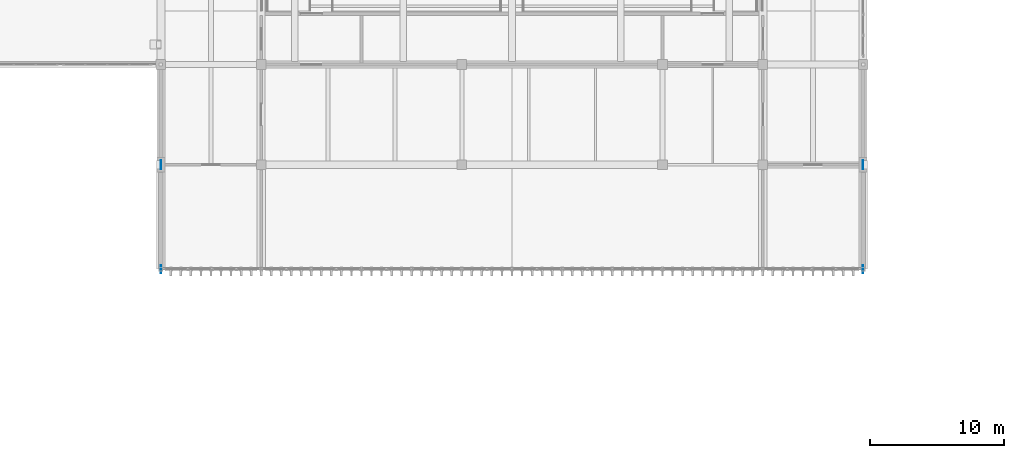
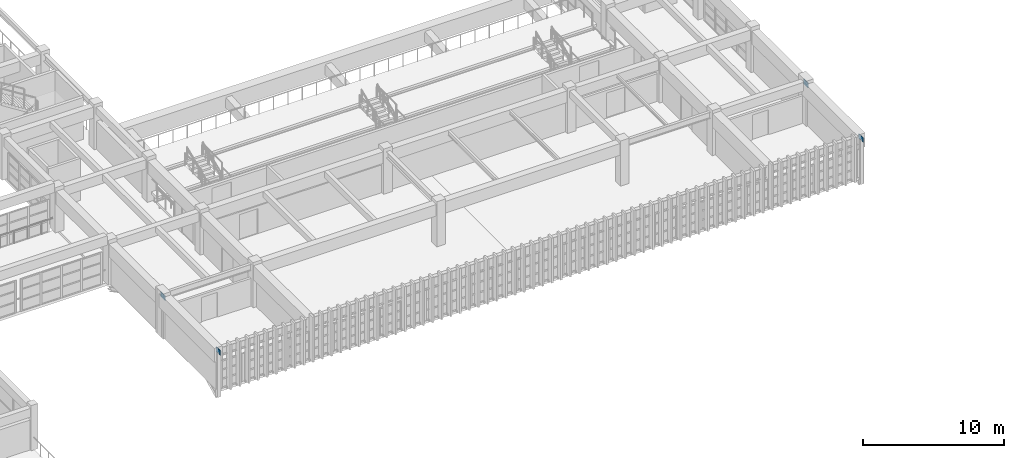
# One storey, part 69 of 101: 4 plates.
"""IFC4 building model written with IfcOpenShell, lengths in metres."""

import ifcopenshell
import ifcopenshell.guid

model = None  # the IFC model being written
_history = None  # IfcOwnerHistory: only IFC2X3 demands one
_inside = {}  # id of a spatial element -> (the spatial element, [elements in it])
_under = {}  # id of a project, library or spatial element -> (it, [spatial elements below it])
_declared = {}  # id of a project -> (the project, [libraries it declares])
_typed = {}  # id of a type object -> (the type object, [elements of that type])
_made_of = {}  # id of a material, layer set ... -> (it, [elements and type objects made of it])


def new_model(schema):
    """Start an empty IFC model of exactly this schema.

    Asked for "IFC4X3", IfcOpenShell would pick the latest addendum, in which some entities
    have other attributes; the version numbers below select the first issue.
    IFC2X3 requires an IfcOwnerHistory on every rooted entity: one is made here for all.
    """
    global model, _history
    if schema == "IFC4X3":
        model = ifcopenshell.file(schema_version=(4, 3, 0, 0))
    else:
        model = ifcopenshell.file(schema=schema)
    _inside.clear()
    _under.clear()
    _declared.clear()
    _typed.clear()
    _made_of.clear()
    _history = None
    if model.schema == "IFC2X3":
        org = make("IfcOrganization", Name="unknown")
        user = make(
            "IfcPersonAndOrganization",
            ThePerson=make("IfcPerson", FamilyName="unknown"),
            TheOrganization=org,
        )
        app = make(
            "IfcApplication",
            ApplicationDeveloper=org,
            Version="unknown",
            ApplicationFullName="unknown",
            ApplicationIdentifier="unknown",
        )
        _history = make(
            "IfcOwnerHistory",
            OwningUser=user,
            OwningApplication=app,
            ChangeAction="ADDED",
            CreationDate=0,
        )
    return model


def make(cls, **values):
    """One entity of the class cls with the attributes given. An attribute that is None is left unset."""
    return model.create_entity(
        cls, **{name: value for name, value in values.items() if value is not None}
    )


def rooted(cls, **values):
    """An entity with a GlobalId (a new one), such as an element, a storey or a relation."""
    return make(cls, GlobalId=ifcopenshell.guid.new(), OwnerHistory=_history, **values)


def si_unit(unit_type, name, prefix=None):
    """IfcSIUnit, for example si_unit("LENGTHUNIT", "METRE", prefix="MILLI")."""
    return make("IfcSIUnit", UnitType=unit_type, Prefix=prefix, Name=name)


def assignment(units):
    """IfcUnitAssignment: the units of a project."""
    return None if units is None else make("IfcUnitAssignment", Units=units)


def point(xyz):
    """IfcCartesianPoint."""
    return None if xyz is None else make("IfcCartesianPoint", Coordinates=xyz)


def direction(xyz):
    """IfcDirection."""
    return None if xyz is None else make("IfcDirection", DirectionRatios=xyz)


def frame(location, z_axis=None, x_axis=None):
    """IfcAxis2Placement3D, a coordinate frame: its origin and axes. An axis left out is left unset."""
    return make(
        "IfcAxis2Placement3D",
        Location=point(location),
        Axis=direction(z_axis),
        RefDirection=direction(x_axis),
    )


def frame_2d(location, x_axis=None):
    """IfcAxis2Placement2D, a coordinate frame in the plane: its origin and x axis."""
    return make(
        "IfcAxis2Placement2D", Location=point(location), RefDirection=direction(x_axis)
    )


def origin():
    """The frame at (0, 0, 0) with its axes left unset."""
    return frame((0.0, 0.0, 0.0))


def origin_2d():
    """The frame at (0, 0) in the plane with its x axis left unset."""
    return frame_2d((0.0, 0.0))


def place(relative_to, where):
    """IfcLocalPlacement: puts the frame where relative to a parent placement (None: the world)."""
    return make(
        "IfcLocalPlacement", PlacementRelTo=relative_to, RelativePlacement=where
    )


def context(
    kind, dimensions, precision=None, world=None, true_north=None, identifier=None
):
    """IfcGeometricRepresentationContext, for example the 3D "Model" context."""
    return make(
        "IfcGeometricRepresentationContext",
        ContextIdentifier=identifier,
        ContextType=kind,
        CoordinateSpaceDimension=dimensions,
        Precision=precision,
        WorldCoordinateSystem=world,
        TrueNorth=true_north,
    )


def subcontext(parent, identifier, kind, view, scale=None):
    """IfcGeometricRepresentationSubContext, for example "Body" below "Model"."""
    return make(
        "IfcGeometricRepresentationSubContext",
        ContextIdentifier=identifier,
        ContextType=kind,
        ParentContext=parent,
        TargetScale=scale,
        TargetView=view,
    )


def project(units=None, contexts=None):
    """IfcProject with its units and contexts."""
    return rooted(
        "IfcProject",
        Name="project",
        RepresentationContexts=contexts,
        UnitsInContext=assignment(units),
    )


def spatial(cls, under=None, at=None, **own):
    """A site, building, storey or space (cls), placed at a placement, below another one or the project."""
    s = rooted(cls, ObjectPlacement=at, **own)
    if under is not None:
        _under.setdefault(under.id(), (under, []))[1].append(s)
    return s


def profile(cls, at=None, kind="AREA", **sizes):
    """A parametric profile (cls). Its sizes go by their IFC names, for example OverallWidth=200.0."""
    return make(cls, ProfileType=kind, Position=at, **sizes)


def rectangle(**sizes):
    """IfcRectangleProfileDef."""
    return profile("IfcRectangleProfileDef", **sizes)


def extrude(swept, where, along, depth):
    """IfcExtrudedAreaSolid: the profile swept, set in the frame where, extruded along a direction by depth."""
    return make(
        "IfcExtrudedAreaSolid",
        SweptArea=swept,
        Position=where,
        ExtrudedDirection=direction(along),
        Depth=depth,
    )


def shape(context_of_items, identifier, shape_type, items):
    """IfcShapeRepresentation: the items that make up one representation, for example the "Body"."""
    return make(
        "IfcShapeRepresentation",
        ContextOfItems=context_of_items,
        RepresentationIdentifier=identifier,
        RepresentationType=shape_type,
        Items=items,
    )


def material(Name=None, Category=None):
    """IfcMaterial."""
    return make("IfcMaterial", Name=Name, Category=Category)


def layer(
    of_material, thickness, ventilated=None, Name=None, Category=None, Priority=None
):
    """IfcMaterialLayer: one layer of a wall or slab, of a material (None: an air gap)."""
    return make(
        "IfcMaterialLayer",
        Material=of_material,
        LayerThickness=thickness,
        IsVentilated=ventilated,
        Name=Name,
        Category=Category,
        Priority=Priority,
    )


def layer_set(layers, Name=None):
    """IfcMaterialLayerSet."""
    return make("IfcMaterialLayerSet", MaterialLayers=layers, LayerSetName=Name)


def made_of(thing, what):
    """Note that an element or type object is made of a material, layer set ...; save() writes the relation."""
    if what is not None:
        _made_of.setdefault(what.id(), (what, []))[1].append(thing)
    return thing


def type_object(cls, material=None, **own):
    """A type object (cls), such as IfcWallType, which elements share."""
    return made_of(rooted(cls, **own), material)


def element(
    cls,
    number,
    at=None,
    inside=None,
    cuts=None,
    type_object=None,
    material=None,
    context=None,
    identifier="Body",
    shape_type=None,
    held_by="IfcProductDefinitionShape",
    body=None,
    shapes=None,
    **own,
):
    """One element of the class cls, such as IfcWall. Its Tag is "e" and its number.

    at: its placement. inside: the storey or other place that contains it. cuts: it is an
    opening in that element (IfcRelVoidsElement). A single representation is given by context,
    identifier, shape_type and body (its items); several are given by shapes. held_by: the class
    of the entity that holds the representations. save() writes the other relations.
    """
    e = rooted(cls, Tag="e%d" % number, ObjectPlacement=at, **own)
    if body is not None:
        shapes = [shape(context, identifier, shape_type, body)]
    if shapes is not None:
        e.Representation = make(held_by, Representations=shapes)
    if inside is not None:
        _inside.setdefault(inside.id(), (inside, []))[1].append(e)
    if cuts is not None:
        rooted(
            "IfcRelVoidsElement", RelatingBuildingElement=cuts, RelatedOpeningElement=e
        )
    if type_object is not None:
        _typed.setdefault(type_object.id(), (type_object, []))[1].append(e)
    return made_of(e, material)


def aggregate(whole, parts):
    """IfcRelAggregates: a whole, such as a stair, and the parts it consists of."""
    return rooted("IfcRelAggregates", RelatingObject=whole, RelatedObjects=parts)


def save(model, path):
    """Write the relations noted so far, then the file.

    IfcRelAggregates (storeys below a building ...), IfcRelContainedInSpatialStructure (elements
    in a storey), IfcRelDefinesByType, IfcRelAssociatesMaterial and IfcRelDeclares: one each for
    every whole, place, type object, material and project.
    """
    for whole, parts in _under.values():
        aggregate(whole, parts)
    for where, things in _inside.values():
        rooted(
            "IfcRelContainedInSpatialStructure",
            RelatedElements=things,
            RelatingStructure=where,
        )
    for kind, things in _typed.values():
        rooted("IfcRelDefinesByType", RelatedObjects=things, RelatingType=kind)
    for what, things in _made_of.values():
        rooted("IfcRelAssociatesMaterial", RelatedObjects=things, RelatingMaterial=what)
    for by, libraries in _declared.values():
        rooted("IfcRelDeclares", RelatingContext=by, RelatedDefinitions=libraries)
    model.write(path)


model = new_model("IFC4")

# Units and contexts
model_context = context("Model", 3, precision=1e-05, world=origin(), true_north=direction((0.0, 1.0)))
body_context = subcontext(model_context, "Body", "Model", "MODEL_VIEW")
ifc_project = project(units=[si_unit("LENGTHUNIT", "METRE"), si_unit("AREAUNIT", "SQUARE_METRE"), si_unit("VOLUMEUNIT", "CUBIC_METRE"), si_unit("PLANEANGLEUNIT", "RADIAN"), si_unit("MASSUNIT", "GRAM", prefix="KILO")], contexts=[model_context])

# Site, building, storey
site_placement = place(None, origin())
site = spatial("IfcSite", under=ifc_project, at=site_placement, CompositionType="ELEMENT")
building_placement = place(site_placement, origin())
building = spatial("IfcBuilding", under=site, at=building_placement, Name="Qasida Concert Hall", CompositionType="ELEMENT")
storey_placement = place(building_placement, frame((0.0, 0.0, 13.199951171875)))
storey = spatial("IfcBuildingStorey", under=building, at=storey_placement, Name="L03", CompositionType="ELEMENT", Elevation=13.199951171875)

# Plates
ifc_material = material(Name="Steel S355J2", Category="steel")
ifc_layer_1 = layer(ifc_material, 0.035888671875, Name="Steel S355J2")
ifc_layer_set_1 = layer_set([ifc_layer_1], Name="Steel S355J2")
plate_type_1 = type_object("IfcPlateType", Name="PLT-PL-KN1", PredefinedType="USERDEFINED", material=ifc_layer_set_1)
for number, where, z_axis, x_axis, name in (
    (1, (52.5, 14.699951171875, 3.10009765625), (0.0, 0.0, 1.0), (1.0, 0.0, 0.0), "Wall truss node plate KN-0005"),
    (2, (105.0, 14.699951171875, 3.10009765625), (0.0, 0.0, 1.0), (1.0, 0.0, 0.0), "Wall truss node plate KN-0015"),
):
    element("IfcPlate", number, at=place(storey_placement, frame(where, z_axis=z_axis, x_axis=x_axis)), inside=storey, type_object=plate_type_1, Name=name, ObjectType="GUSSET_PLATE", PredefinedType="USERDEFINED", context=body_context, shape_type="SweptSolid", body=[
        extrude(rectangle(XDim=0.035888671875, YDim=0.60009765625, at=origin_2d()), origin(), (0.0, 0.0, 1.0), 0.39990234375),
    ])
ifc_layer_2 = layer(ifc_material, 0.0380859375, Name="Steel S355J2")
ifc_layer_set_2 = layer_set([ifc_layer_2], Name="Steel S355J2")
plate_type_2 = type_object("IfcPlateType", Name="PLT-PL-KN5", PredefinedType="USERDEFINED", material=ifc_layer_set_2)
for number, where, z_axis, x_axis, name in (
    (3, (52.5, 22.5, 3.080078125), (0.0, 0.0, 1.0), (1.0, 0.0, 0.0), "Wall truss node plate KN-0006"),
    (4, (105.0, 22.5, 3.080078125), (0.0, 0.0, 1.0), (1.0, 0.0, 0.0), "Wall truss node plate KN-0016"),
):
    element("IfcPlate", number, at=place(storey_placement, frame(where, z_axis=z_axis, x_axis=x_axis)), inside=storey, type_object=plate_type_2, Name=name, ObjectType="GUSSET_PLATE", PredefinedType="USERDEFINED", context=body_context, shape_type="SweptSolid", body=[
        extrude(rectangle(XDim=0.0380859375, YDim=0.659912109375, at=origin_2d()), origin(), (0.0, 0.0, 1.0), 0.43994140625),
    ])

save(model, "model.ifc")
